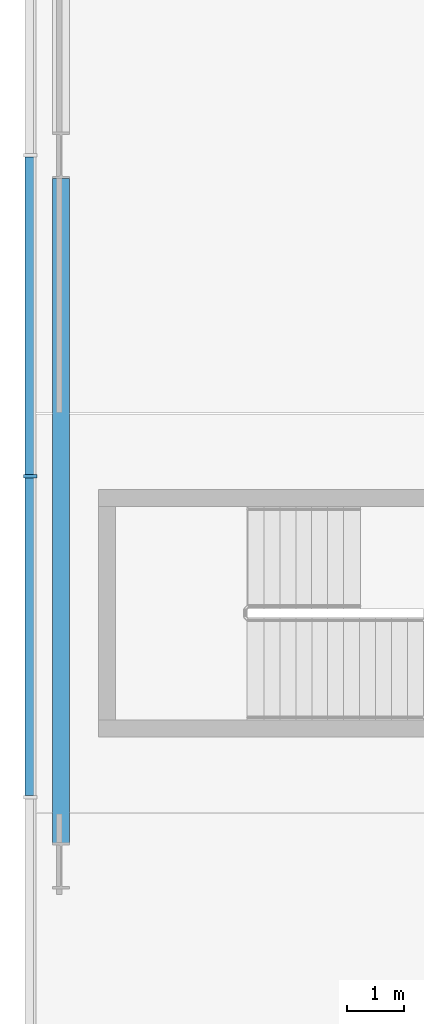
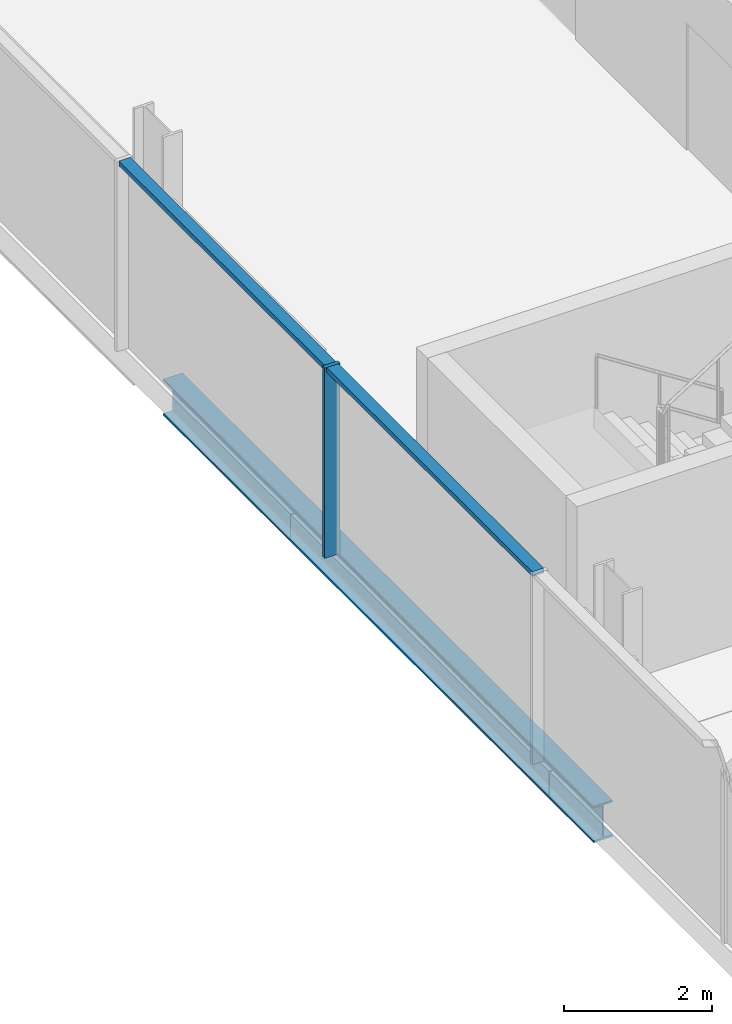
# One storey, part 6 of 25: 3 members, 1 beam, 1 element without a shape of its own.
"""IFC4 building model written with IfcOpenShell, lengths in metres."""

from ifc_helpers import new_model, si_unit, direction, frame, origin, origin_2d, place, context, subcontext, project, spatial, rectangle, i_section, extrude, material, material_profile, profile_set, type_object, element, aggregate, save


model = new_model("IFC4")

# Units and contexts
model_context = context("Model", 3, precision=1e-05, world=origin(), true_north=direction((0.0, 1.0)))
body_context = subcontext(model_context, "Body", "Model", "MODEL_VIEW")
ifc_project = project(units=[si_unit("LENGTHUNIT", "METRE"), si_unit("AREAUNIT", "SQUARE_METRE"), si_unit("VOLUMEUNIT", "CUBIC_METRE"), si_unit("PLANEANGLEUNIT", "RADIAN"), si_unit("MASSUNIT", "GRAM", prefix="KILO")], contexts=[model_context])

# Site, building, storey
site_placement = place(None, origin())
site = spatial("IfcSite", under=ifc_project, at=site_placement, CompositionType="ELEMENT")
building_placement = place(site_placement, origin())
building = spatial("IfcBuilding", under=site, at=building_placement, Name="Wharfspan Tower", CompositionType="ELEMENT")
storey_placement = place(building_placement, frame((0.0, 0.0, 143.5)))
storey = spatial("IfcBuildingStorey", under=building, at=storey_placement, Name="L34", CompositionType="ELEMENT", Elevation=143.5)

# Beam
ifc_material_1 = material(Name="Steel S355J2", Category="steel")
ifc_material_profile_1 = material_profile(ifc_material_1, i_section(OverallWidth=0.300049, OverallDepth=0.600098, WebThickness=0.015381, FlangeThickness=0.030029, FilletRadius=0.0271, at=origin_2d()))
ifc_profile_set_1 = profile_set([ifc_material_profile_1], Name="Steel S355J2")
beam_type = type_object("IfcBeamType", Name="Edge beam HEB 600", PredefinedType="SPANDREL", material=ifc_profile_set_1)
beam_placement = place(storey_placement, frame((7.540039, 30.330322, -0.699951), z_axis=(0.0, -1.0, 0.0), x_axis=(1.0, 0.0, 0.0)))
element("IfcBeam", 1, at=beam_placement, inside=storey, type_object=beam_type, Name="Edge beam W L34 PW.1 to PW.2", PredefinedType="SPANDREL", context=body_context, shape_type="SweptSolid", body=[
    extrude(i_section(OverallWidth=0.300049, OverallDepth=0.600098, WebThickness=0.015381, FlangeThickness=0.030029, FilletRadius=0.0271, at=origin_2d()), origin(), (0.0, 0.0, 1.0), 11.660645),
])

# Curtain wall, members
ifc_material_2 = material(Name="Aluminium 6063-T6", Category="aluminium")
curtain_wall_type = type_object("IfcCurtainWallType", Name="CURTAIN WALL PROW AND END", PredefinedType="NOTDEFINED", material=ifc_material_2)
curtain_wall_placement = place(storey_placement, origin())
curtain_wall = element("IfcCurtainWall", 2, at=curtain_wall_placement, inside=storey, type_object=curtain_wall_type, Name="Curtain wall W", PredefinedType="NOTDEFINED")
ifc_material_profile_2 = material_profile(ifc_material_2, rectangle(XDim=0.23999, YDim=0.060059, at=origin_2d()))
ifc_profile_set_2 = profile_set([ifc_material_profile_2], Name="Aluminium 6063-T6")
member_type_1 = type_object("IfcMemberType", Name="MULLION PROW AND END 60x240", PredefinedType="MULLION", material=ifc_profile_set_2)
member_1_placement = place(storey_placement, frame((7.0, 25.100098, 0.0), z_axis=(0.0, 0.0, 1.0), x_axis=(1.0, 0.0, 0.0)))
member_1 = element("IfcMember", 3, at=member_1_placement, type_object=member_type_1, Name="Curtain wall W mullion 4", PredefinedType="MULLION", context=body_context, shape_type="SweptSolid", body=[
    extrude(rectangle(XDim=0.23999, YDim=0.060059, at=origin_2d()), origin(), (0.0, 0.0, 1.0), 3.149902),
])
ifc_material_profile_3 = material_profile(ifc_material_2, rectangle(XDim=0.179932, YDim=0.080078, at=origin_2d()))
ifc_profile_set_3 = profile_set([ifc_material_profile_3], Name="Aluminium 6063-T6")
member_type_2 = type_object("IfcMemberType", Name="TRANSOM PROW AND END 80x180", PredefinedType="USERDEFINED", material=ifc_profile_set_3)
member_2_placement = place(storey_placement, frame((7.0, 30.703369, 3.110107), z_axis=(0.0, -1.0, 0.0), x_axis=(1.0, 0.0, 0.0)))
member_2 = element("IfcMember", 4, at=member_2_placement, type_object=member_type_2, Name="Curtain wall W transom 3", ObjectType="TRANSOM", PredefinedType="USERDEFINED", context=body_context, shape_type="SweptSolid", body=[
    extrude(rectangle(XDim=0.179932, YDim=0.080078, at=origin_2d()), origin(), (0.0, 0.0, 1.0), 5.573486),
])
member_3_placement = place(storey_placement, frame((7.0, 25.070068, 3.110107), z_axis=(0.0, -1.0, 0.0), x_axis=(1.0, 0.0, 0.0)))
member_3 = element("IfcMember", 5, at=member_3_placement, type_object=member_type_2, Name="Curtain wall W transom 4", ObjectType="TRANSOM", PredefinedType="USERDEFINED", context=body_context, shape_type="SweptSolid", body=[
    extrude(rectangle(XDim=0.179932, YDim=0.080078, at=origin_2d()), origin(), (0.0, 0.0, 1.0), 5.573486),
])
aggregate(curtain_wall, [member_1, member_2, member_3])

save(model, "model.ifc")
